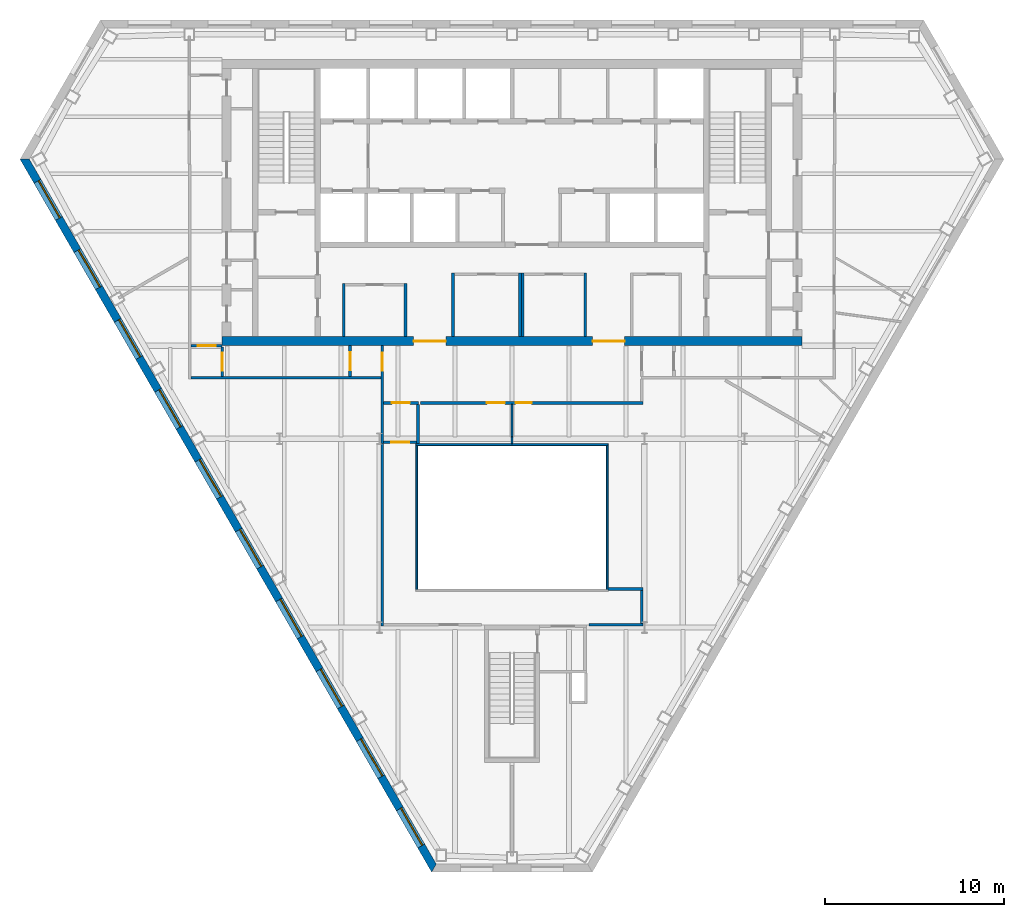
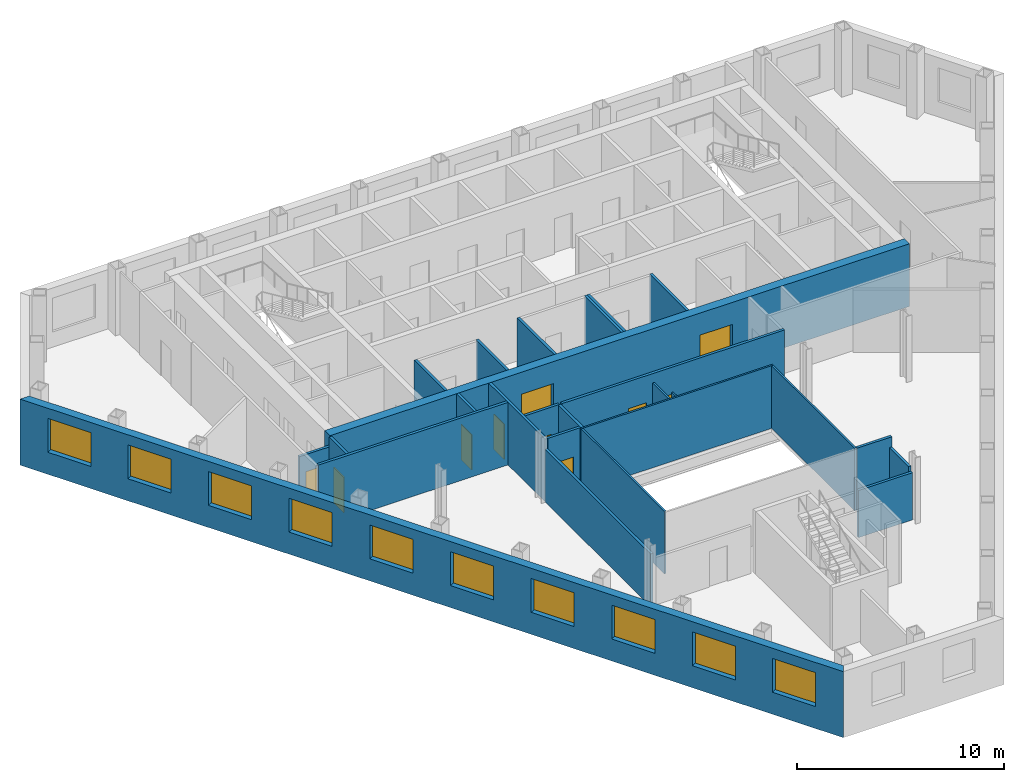
# One storey, part 4 of 11: 26 walls, 10 doors, 10 windows, 20 openings.
"""IFC4 building model written with IfcOpenShell, lengths in metres."""

from ifc_helpers import new_model, si_unit, direction, frame, frame_2d, origin, place, context, subcontext, project, spatial, polyline, rectangle, outline, extrude, material, layer, layer_set, type_object, element, fill, save


model = new_model("IFC4")

# Units and contexts
model_context = context("Model", 3, precision=1e-05, world=origin(), true_north=direction((0.0, 1.0)))
body_context = subcontext(model_context, "Body", "Model", "MODEL_VIEW")
ifc_project = project(units=[si_unit("LENGTHUNIT", "METRE"), si_unit("AREAUNIT", "SQUARE_METRE"), si_unit("VOLUMEUNIT", "CUBIC_METRE"), si_unit("PLANEANGLEUNIT", "RADIAN"), si_unit("MASSUNIT", "GRAM", prefix="KILO")], contexts=[model_context])

# Site, building, storey
site_placement = place(None, origin())
site = spatial("IfcSite", under=ifc_project, at=site_placement, CompositionType="ELEMENT")
building_placement = place(site_placement, origin())
building = spatial("IfcBuilding", under=site, at=building_placement, Name="Njiva Tower", CompositionType="ELEMENT")
storey_placement = place(building_placement, frame((0.0, 0.0, 143.7)))
storey = spatial("IfcBuildingStorey", under=building, at=storey_placement, Name="L30", CompositionType="ELEMENT", Elevation=143.7)

# Walls
ifc_material_1 = material(Name="Blockwork", Category="masonry")
ifc_layer_1 = layer(ifc_material_1, 0.15)
ifc_layer_set_1 = layer_set([ifc_layer_1], Name="Blockwork")
wall_type_1 = type_object("IfcWallType", Name="WT1 Compartment partition 150", PredefinedType="PARTITIONING", material=ifc_layer_set_1)
for number, where, z_axis, x_axis, name in (
    (1, (-9.4, 2.5, 0.0), (0.0, 0.0, 1.0), (0.0, 1.0, 0.0), "Security office wall west"),
    (2, (-5.95, 2.5, 0.0), (0.0, 0.0, 1.0), (0.0, 1.0, 0.0), "Security office wall east"),
):
    element("IfcWall", number, at=place(storey_placement, frame(where, z_axis=z_axis, x_axis=x_axis)), inside=storey, type_object=wall_type_1, Name=name, PredefinedType="PARTITIONING", context=body_context, shape_type="SweptSolid", body=[
        extrude(rectangle(XDim=2.975, YDim=0.15, at=frame_2d((1.4875, 0.0))), origin(), (0.0, 0.0, 1.0), 3.7),
    ])
for number, where, z_axis, x_axis, name in (
    (3, (-3.3, 2.5, 0.0), (0.0, 0.0, 1.0), (0.0, 1.0, 0.0), "Concierge office wall west"),
    (4, (0.45, 2.5, 0.0), (0.0, 0.0, 1.0), (0.0, 1.0, 0.0), "Concierge office wall east"),
    (5, (0.6, 2.5, 0.0), (0.0, 0.0, 1.0), (0.0, 1.0, 0.0), "Post room wall west"),
    (6, (4.1, 2.5, 0.0), (0.0, 0.0, 1.0), (0.0, 1.0, 0.0), "Post room wall east"),
):
    element("IfcWall", number, at=place(storey_placement, frame(where, z_axis=z_axis, x_axis=x_axis)), inside=storey, type_object=wall_type_1, Name=name, PredefinedType="PARTITIONING", context=body_context, shape_type="SweptSolid", body=[
        extrude(rectangle(XDim=3.575, YDim=0.15, at=frame_2d((1.7875, 0.0))), origin(), (0.0, 0.0, 1.0), 3.7),
    ])

# Wall, openings, doors
ifc_material_2 = material(Name="Concrete C60/75", Category="concrete")
ifc_layer_2 = layer(ifc_material_2, 0.5)
ifc_layer_set_2 = layer_set([ifc_layer_2], Name="Concrete C60/75")
wall_type_2 = type_object("IfcWallType", Name="WT13 Core wall 500", PredefinedType="SHEAR", material=ifc_layer_set_2)
wall_1_placement = place(storey_placement, frame((-16.2, 2.25, 0.0), z_axis=(0.0, 0.0, 1.0), x_axis=(1.0, 0.0, 0.0)))
wall_1 = element("IfcWall", 7, at=wall_1_placement, inside=storey, type_object=wall_type_2, Name="Core wall south", PredefinedType="SHEAR", context=body_context, shape_type="SweptSolid", body=[
    extrude(rectangle(XDim=32.4, YDim=0.5, at=frame_2d((16.2, 0.0))), origin(), (0.0, 0.0, 1.0), 3.7),
])
opening_1_placement = place(wall_1_placement, frame((10.7, 0.0, 0.0)))
opening_1 = element("IfcOpeningElement", 8, at=opening_1_placement, cuts=wall_1, Name="Opening S10-D939", PredefinedType="OPENING", context=body_context, shape_type="SweptSolid", body=[
    extrude(rectangle(XDim=1.8, YDim=2.4, at=frame_2d((0.9, 1.2))), frame((0.0, 0.26, 0.0), z_axis=(0.0, -1.0, 0.0), x_axis=(1.0, 0.0, 0.0)), (0.0, 0.0, 1.0), 0.52),
])
opening_2_placement = place(wall_1_placement, frame((20.7, 0.0, 0.0)))
opening_2 = element("IfcOpeningElement", 9, at=opening_2_placement, cuts=wall_1, Name="Opening S10-D940", PredefinedType="OPENING", context=body_context, shape_type="SweptSolid", body=[
    extrude(rectangle(XDim=1.8, YDim=2.4, at=frame_2d((0.9, 1.2))), frame((0.0, 0.26, 0.0), z_axis=(0.0, -1.0, 0.0), x_axis=(1.0, 0.0, 0.0)), (0.0, 0.0, 1.0), 0.52),
])
ifc_material_3 = material(Name="Steel and glass door", Category="steel")
door_type_1 = type_object("IfcDoorType", Name="D3 Core entrance door 1800x2400", OperationType="DOUBLE_DOOR_SINGLE_SWING", PredefinedType="DOOR", material=ifc_material_3)
door_1_placement = place(opening_1_placement, origin())
door_1 = element("IfcDoor", 10, at=door_1_placement, inside=storey, type_object=door_type_1, Name="Core entrance door", OperationType="DOUBLE_DOOR_SINGLE_SWING", OverallHeight=2.4, OverallWidth=1.8, PredefinedType="DOOR", context=body_context, shape_type="SweptSolid", body=[
    extrude(rectangle(XDim=1.8, YDim=2.4, at=frame_2d((0.9, 1.2))), frame((0.0, 0.025, 0.0), z_axis=(0.0, -1.0, 0.0), x_axis=(1.0, 0.0, 0.0)), (0.0, 0.0, 1.0), 0.05),
])
fill(opening_1, door_1)
door_2_placement = place(opening_2_placement, origin())
door_2 = element("IfcDoor", 11, at=door_2_placement, inside=storey, type_object=door_type_1, Name="Core entrance door", OperationType="DOUBLE_DOOR_SINGLE_SWING", OverallHeight=2.4, OverallWidth=1.8, PredefinedType="DOOR", context=body_context, shape_type="SweptSolid", body=[
    extrude(rectangle(XDim=1.8, YDim=2.4, at=frame_2d((0.9, 1.2))), frame((0.0, 0.025, 0.0), z_axis=(0.0, -1.0, 0.0), x_axis=(1.0, 0.0, 0.0)), (0.0, 0.0, 1.0), 0.05),
])
fill(opening_2, door_2)

# Walls
ifc_material_4 = material(Name="Gypsum board on steel studs", Category="gypsum")
ifc_layer_3 = layer(ifc_material_4, 0.1)
ifc_layer_set_3 = layer_set([ifc_layer_3], Name="Gypsum board on steel studs")
wall_type_3 = type_object("IfcWallType", Name="WT20 Gypsum partition 100", PredefinedType="PARTITIONING", material=ifc_layer_set_3)
wall_2_placement = place(storey_placement, frame((0.0, -3.48, 0.0), z_axis=(0.0, 0.0, 1.0), x_axis=(0.0, 1.0, 0.0)))
element("IfcWall", 12, at=wall_2_placement, inside=storey, type_object=wall_type_3, Name="Partition S10-P017", PredefinedType="PARTITIONING", context=body_context, shape_type="SweptSolid", body=[
    extrude(rectangle(XDim=0.381, YDim=0.1, at=frame_2d((0.1905, 0.0))), origin(), (0.0, 0.0, 1.0), 3.7),
])
wall_3_placement = place(storey_placement, frame((0.0, -3.099, 0.0), z_axis=(0.0, 0.0, 1.0), x_axis=(0.0, 1.0, 0.0)))
element("IfcWall", 13, at=wall_3_placement, inside=storey, type_object=wall_type_3, Name="Partition S10-P017A", PredefinedType="PARTITIONING", context=body_context, shape_type="SweptSolid", body=[
    extrude(rectangle(XDim=1.824, YDim=0.1, at=frame_2d((0.912, 0.0))), origin(), (0.0, 0.0, 1.0), 3.15),
])
ifc_layer_4 = layer(ifc_material_4, 0.15)
ifc_layer_set_4 = layer_set([ifc_layer_4], Name="Gypsum board on steel studs")
wall_type_4 = type_object("IfcWallType", Name="WT21 Compartment wall 150", PredefinedType="PARTITIONING", material=ifc_layer_set_4)
wall_4_placement = place(storey_placement, frame((-17.925, 0.2, 0.0), z_axis=(0.0, 0.0, 1.0), x_axis=(1.0, 0.0, 0.0)))
element("IfcWall", 14, at=wall_4_placement, inside=storey, type_object=wall_type_4, Name="Partition S10-P006", PredefinedType="PARTITIONING", context=body_context, shape_type="SweptSolid", body=[
    extrude(rectangle(XDim=10.6, YDim=0.15, at=frame_2d((5.3, 0.0))), origin(), (0.0, 0.0, 1.0), 3.7),
])

# Wall, opening, door
wall_5_placement = place(storey_placement, frame((-17.925, 2.0, 0.0), z_axis=(0.0, 0.0, 1.0), x_axis=(1.0, 0.0, 0.0)))
wall_5 = element("IfcWall", 15, at=wall_5_placement, inside=storey, type_object=wall_type_4, Name="Partition S10-P007", PredefinedType="PARTITIONING", context=body_context, shape_type="SweptSolid", body=[
    extrude(rectangle(XDim=1.725, YDim=0.15, at=frame_2d((0.8625, 0.0))), origin(), (0.0, 0.0, 1.0), 3.11),
])
opening_3_placement = place(wall_5_placement, frame((0.363, 0.0, 0.0)))
opening_3 = element("IfcOpeningElement", 16, at=opening_3_placement, cuts=wall_5, Name="Opening S10-D003", PredefinedType="OPENING", context=body_context, shape_type="SweptSolid", body=[
    extrude(rectangle(XDim=1.0, YDim=2.1, at=frame_2d((0.5, 1.05))), frame((0.0, 0.085, 0.0), z_axis=(0.0, -1.0, 0.0), x_axis=(1.0, 0.0, 0.0)), (0.0, 0.0, 1.0), 0.17),
])
ifc_material_5 = material(Name="Steel fire door set", Category="steel")
door_type_2 = type_object("IfcDoorType", Name="D37 Fire door 1000x2100", OperationType="SINGLE_SWING_LEFT", PredefinedType="DOOR", material=ifc_material_5)
door_3_placement = place(opening_3_placement, origin())
door_3 = element("IfcDoor", 17, at=door_3_placement, inside=storey, type_object=door_type_2, Name="Door S10-D003", OperationType="SINGLE_SWING_LEFT", OverallHeight=2.1, OverallWidth=1.0, PredefinedType="DOOR", context=body_context, shape_type="SweptSolid", body=[
    extrude(rectangle(XDim=1.0, YDim=2.1, at=frame_2d((0.5, 1.05))), frame((0.0, 0.025, 0.0), z_axis=(0.0, -1.0, 0.0), x_axis=(1.0, 0.0, 0.0)), (0.0, 0.0, 1.0), 0.05),
])
fill(opening_3, door_3)

wall_6_placement = place(storey_placement, frame((-16.2, 0.275, 0.0), z_axis=(0.0, 0.0, 1.0), x_axis=(0.0, 1.0, 0.0)))
wall_6 = element("IfcWall", 18, at=wall_6_placement, inside=storey, type_object=wall_type_4, Name="Partition S10-P008", PredefinedType="PARTITIONING", context=body_context, shape_type="SweptSolid", body=[
    extrude(rectangle(XDim=1.65, YDim=0.15, at=frame_2d((0.825, 0.0))), origin(), (0.0, 0.0, 1.0), 3.7),
])
opening_4_placement = place(wall_6_placement, frame((0.325, 0.0, 0.0)))
opening_4 = element("IfcOpeningElement", 19, at=opening_4_placement, cuts=wall_6, Name="Opening S10-D004", PredefinedType="OPENING", context=body_context, shape_type="SweptSolid", body=[
    extrude(rectangle(XDim=1.0, YDim=2.1, at=frame_2d((0.5, 1.05))), frame((0.0, 0.085, 0.0), z_axis=(0.0, -1.0, 0.0), x_axis=(1.0, 0.0, 0.0)), (0.0, 0.0, 1.0), 0.17),
])
door_4_placement = place(opening_4_placement, origin())
door_4 = element("IfcDoor", 20, at=door_4_placement, inside=storey, type_object=door_type_2, Name="Door S10-D004", OperationType="SINGLE_SWING_RIGHT", OverallHeight=2.1, OverallWidth=1.0, PredefinedType="DOOR", context=body_context, shape_type="SweptSolid", body=[
    extrude(rectangle(XDim=1.0, YDim=2.1, at=frame_2d((0.5, 1.05))), frame((0.0, 0.025, 0.0), z_axis=(0.0, -1.0, 0.0), x_axis=(1.0, 0.0, 0.0)), (0.0, 0.0, 1.0), 0.05),
])
fill(opening_4, door_4)

wall_7_placement = place(storey_placement, frame((-9.05, 0.275, 0.0), z_axis=(0.0, 0.0, 1.0), x_axis=(0.0, 1.0, 0.0)))
wall_7 = element("IfcWall", 21, at=wall_7_placement, inside=storey, type_object=wall_type_4, Name="Partition S10-P009", PredefinedType="PARTITIONING", context=body_context, shape_type="SweptSolid", body=[
    extrude(rectangle(XDim=1.725, YDim=0.15, at=frame_2d((0.8625, 0.0))), origin(), (0.0, 0.0, 1.0), 3.7),
])
opening_5_placement = place(wall_7_placement, frame((0.363, 0.0, 0.0)))
opening_5 = element("IfcOpeningElement", 22, at=opening_5_placement, cuts=wall_7, Name="Opening S10-D005", PredefinedType="OPENING", context=body_context, shape_type="SweptSolid", body=[
    extrude(rectangle(XDim=1.0, YDim=2.1, at=frame_2d((0.5, 1.05))), frame((0.0, 0.085, 0.0), z_axis=(0.0, -1.0, 0.0), x_axis=(1.0, 0.0, 0.0)), (0.0, 0.0, 1.0), 0.17),
])
door_5_placement = place(opening_5_placement, origin())
door_5 = element("IfcDoor", 23, at=door_5_placement, inside=storey, type_object=door_type_2, Name="Door S10-D005", OperationType="SINGLE_SWING_LEFT", OverallHeight=2.1, OverallWidth=1.0, PredefinedType="DOOR", context=body_context, shape_type="SweptSolid", body=[
    extrude(rectangle(XDim=1.0, YDim=2.1, at=frame_2d((0.5, 1.05))), frame((0.0, 0.025, 0.0), z_axis=(0.0, -1.0, 0.0), x_axis=(1.0, 0.0, 0.0)), (0.0, 0.0, 1.0), 0.05),
])
fill(opening_5, door_5)

# Wall
wall_8_placement = place(storey_placement, frame((-7.25, -13.675, 0.0), z_axis=(0.0, 0.0, 1.0), x_axis=(0.0, 1.0, 0.0)))
element("IfcWall", 24, at=wall_8_placement, inside=storey, type_object=wall_type_4, Name="Partition S10-P010", PredefinedType="PARTITIONING", context=body_context, shape_type="SweptSolid", body=[
    extrude(rectangle(XDim=10.215, YDim=0.15, at=frame_2d((5.1075, 0.0))), origin(), (0.0, 0.0, 1.0), 3.11),
])

# Wall, opening, door
wall_9_placement = place(storey_placement, frame((-7.25, -3.46, 0.0), z_axis=(0.0, 0.0, 1.0), x_axis=(0.0, 1.0, 0.0)))
wall_9 = element("IfcWall", 25, at=wall_9_placement, inside=storey, type_object=wall_type_4, Name="Partition S10-P010A", PredefinedType="PARTITIONING", context=body_context, shape_type="SweptSolid", body=[
    extrude(rectangle(XDim=5.46, YDim=0.15, at=frame_2d((2.73, 0.0))), origin(), (0.0, 0.0, 1.0), 3.7),
])
opening_6_placement = place(wall_9_placement, frame((4.06, 0.0, 0.0)))
opening_6 = element("IfcOpeningElement", 26, at=opening_6_placement, cuts=wall_9, Name="Opening S10-D006", PredefinedType="OPENING", context=body_context, shape_type="SweptSolid", body=[
    extrude(rectangle(XDim=1.0, YDim=2.1, at=frame_2d((0.5, 1.05))), frame((0.0, 0.085, 0.0), z_axis=(0.0, -1.0, 0.0), x_axis=(1.0, 0.0, 0.0)), (0.0, 0.0, 1.0), 0.17),
])
door_6_placement = place(opening_6_placement, origin())
door_6 = element("IfcDoor", 27, at=door_6_placement, inside=storey, type_object=door_type_2, Name="Door S10-D006", OperationType="SINGLE_SWING_LEFT", OverallHeight=2.1, OverallWidth=1.0, PredefinedType="DOOR", context=body_context, shape_type="SweptSolid", body=[
    extrude(rectangle(XDim=1.0, YDim=2.1, at=frame_2d((0.5, 1.05))), frame((0.0, 0.025, 0.0), z_axis=(0.0, -1.0, 0.0), x_axis=(1.0, 0.0, 0.0)), (0.0, 0.0, 1.0), 0.05),
])
fill(opening_6, door_6)

wall_10_placement = place(storey_placement, frame((-7.175, -3.4, 0.0), z_axis=(0.0, 0.0, 1.0), x_axis=(1.0, 0.0, 0.0)))
wall_10 = element("IfcWall", 28, at=wall_10_placement, inside=storey, type_object=wall_type_4, Name="Partition S10-P012", PredefinedType="PARTITIONING", context=body_context, shape_type="SweptSolid", body=[
    extrude(rectangle(XDim=1.85, YDim=0.15, at=frame_2d((0.925, 0.0))), origin(), (0.0, 0.0, 1.0), 3.7),
])
opening_7_placement = place(wall_10_placement, frame((0.425, 0.0, 0.0)))
opening_7 = element("IfcOpeningElement", 29, at=opening_7_placement, cuts=wall_10, Name="Opening S10-D008", PredefinedType="OPENING", context=body_context, shape_type="SweptSolid", body=[
    extrude(rectangle(XDim=1.0, YDim=2.1, at=frame_2d((0.5, 1.05))), frame((0.0, 0.085, 0.0), z_axis=(0.0, -1.0, 0.0), x_axis=(1.0, 0.0, 0.0)), (0.0, 0.0, 1.0), 0.17),
])
door_7_placement = place(opening_7_placement, origin())
door_7 = element("IfcDoor", 30, at=door_7_placement, inside=storey, type_object=door_type_2, Name="Door S10-D008", OperationType="SINGLE_SWING_LEFT", OverallHeight=2.1, OverallWidth=1.0, PredefinedType="DOOR", context=body_context, shape_type="SweptSolid", body=[
    extrude(rectangle(XDim=1.0, YDim=2.1, at=frame_2d((0.5, 1.05))), frame((0.0, 0.025, 0.0), z_axis=(0.0, -1.0, 0.0), x_axis=(1.0, 0.0, 0.0)), (0.0, 0.0, 1.0), 0.05),
])
fill(opening_7, door_7)

wall_11_placement = place(storey_placement, frame((-7.175, -1.2, 0.0), z_axis=(0.0, 0.0, 1.0), x_axis=(1.0, 0.0, 0.0)))
wall_11 = element("IfcWall", 31, at=wall_11_placement, inside=storey, type_object=wall_type_4, Name="Partition S10-P013", PredefinedType="PARTITIONING", context=body_context, shape_type="SweptSolid", body=[
    extrude(rectangle(XDim=1.937, YDim=0.15, at=frame_2d((0.9685, 0.0))), origin(), (0.0, 0.0, 1.0), 3.7),
])
opening_8_placement = place(wall_11_placement, frame((0.462, 0.0, 0.0)))
opening_8 = element("IfcOpeningElement", 32, at=opening_8_placement, cuts=wall_11, Name="Opening S10-D009", PredefinedType="OPENING", context=body_context, shape_type="SweptSolid", body=[
    extrude(rectangle(XDim=1.0, YDim=2.1, at=frame_2d((0.5, 1.05))), frame((0.0, 0.085, 0.0), z_axis=(0.0, -1.0, 0.0), x_axis=(1.0, 0.0, 0.0)), (0.0, 0.0, 1.0), 0.17),
])
door_8_placement = place(opening_8_placement, origin())
door_8 = element("IfcDoor", 33, at=door_8_placement, inside=storey, type_object=door_type_2, Name="Door S10-D009", OperationType="SINGLE_SWING_RIGHT", OverallHeight=2.1, OverallWidth=1.0, PredefinedType="DOOR", context=body_context, shape_type="SweptSolid", body=[
    extrude(rectangle(XDim=1.0, YDim=2.1, at=frame_2d((0.5, 1.05))), frame((0.0, 0.025, 0.0), z_axis=(0.0, -1.0, 0.0), x_axis=(1.0, 0.0, 0.0)), (0.0, 0.0, 1.0), 0.05),
])
fill(opening_8, door_8)

# Wall
wall_12_placement = place(storey_placement, frame((-5.25, -3.48, 0.0), z_axis=(0.0, 0.0, 1.0), x_axis=(0.0, 1.0, 0.0)))
element("IfcWall", 34, at=wall_12_placement, inside=storey, type_object=wall_type_4, Name="Partition S10-P014", PredefinedType="PARTITIONING", context=body_context, shape_type="SweptSolid", body=[
    extrude(rectangle(XDim=2.195, YDim=0.15, at=frame_2d((1.0975, 0.0))), origin(), (0.0, 0.0, 1.0), 3.7),
])

# Wall, openings, doors
wall_13_placement = place(storey_placement, frame((-5.104, -1.2, 0.0), z_axis=(0.0, 0.0, 1.0), x_axis=(1.0, 0.0, 0.0)))
wall_13 = element("IfcWall", 35, at=wall_13_placement, inside=storey, type_object=wall_type_4, Name="Partition S10-P015", PredefinedType="PARTITIONING", context=body_context, shape_type="SweptSolid", body=[
    extrude(rectangle(XDim=12.429, YDim=0.15, at=frame_2d((6.2145, 0.0))), origin(), (0.0, 0.0, 1.0), 3.7),
])
opening_9_placement = place(wall_13_placement, frame((3.699, 0.0, 0.0)))
opening_9 = element("IfcOpeningElement", 36, at=opening_9_placement, cuts=wall_13, Name="Opening S10-D010", PredefinedType="OPENING", context=body_context, shape_type="SweptSolid", body=[
    extrude(rectangle(XDim=1.0, YDim=2.1, at=frame_2d((0.5, 1.05))), frame((0.0, 0.085, 0.0), z_axis=(0.0, -1.0, 0.0), x_axis=(1.0, 0.0, 0.0)), (0.0, 0.0, 1.0), 0.17),
])
opening_10_placement = place(wall_13_placement, frame((5.306, 0.0, 0.0)))
opening_10 = element("IfcOpeningElement", 37, at=opening_10_placement, cuts=wall_13, Name="Opening S10-D011", PredefinedType="OPENING", context=body_context, shape_type="SweptSolid", body=[
    extrude(rectangle(XDim=0.9, YDim=2.1, at=frame_2d((0.45, 1.05))), frame((0.0, 0.085, 0.0), z_axis=(0.0, -1.0, 0.0), x_axis=(1.0, 0.0, 0.0)), (0.0, 0.0, 1.0), 0.17),
])
door_type_3 = type_object("IfcDoorType", Name="D36 Fire door 900x2100", OperationType="SINGLE_SWING_LEFT", PredefinedType="DOOR", material=ifc_material_5)
door_9_placement = place(opening_10_placement, origin())
door_9 = element("IfcDoor", 38, at=door_9_placement, inside=storey, type_object=door_type_3, Name="Door S10-D011", OperationType="SINGLE_SWING_LEFT", OverallHeight=2.1, OverallWidth=0.9, PredefinedType="DOOR", context=body_context, shape_type="SweptSolid", body=[
    extrude(rectangle(XDim=0.9, YDim=2.1, at=frame_2d((0.45, 1.05))), frame((0.0, 0.025, 0.0), z_axis=(0.0, -1.0, 0.0), x_axis=(1.0, 0.0, 0.0)), (0.0, 0.0, 1.0), 0.05),
])
fill(opening_10, door_9)
door_10_placement = place(opening_9_placement, origin())
door_10 = element("IfcDoor", 39, at=door_10_placement, inside=storey, type_object=door_type_2, Name="Door S10-D010", OperationType="SINGLE_SWING_LEFT", OverallHeight=2.1, OverallWidth=1.0, PredefinedType="DOOR", context=body_context, shape_type="SweptSolid", body=[
    extrude(rectangle(XDim=1.0, YDim=2.1, at=frame_2d((0.5, 1.05))), frame((0.0, 0.025, 0.0), z_axis=(0.0, -1.0, 0.0), x_axis=(1.0, 0.0, 0.0)), (0.0, 0.0, 1.0), 0.05),
])
fill(opening_9, door_10)

# Walls
wall_14_placement = place(storey_placement, frame((4.3, -13.6, 0.0), z_axis=(0.0, 0.0, 1.0), x_axis=(1.0, 0.0, 0.0)))
element("IfcWall", 40, at=wall_14_placement, inside=storey, type_object=wall_type_4, Name="Partition S10-P018", PredefinedType="PARTITIONING", context=body_context, shape_type="SweptSolid", body=[
    extrude(rectangle(XDim=3.025, YDim=0.15, at=frame_2d((1.5125, 0.0))), origin(), (0.0, 0.0, 1.0), 2.79),
])
wall_15_placement = place(storey_placement, frame((5.37, -11.6, 0.0), z_axis=(0.0, 0.0, 1.0), x_axis=(1.0, 0.0, 0.0)))
element("IfcWall", 41, at=wall_15_placement, inside=storey, type_object=wall_type_4, Name="Partition S10-P019", PredefinedType="PARTITIONING", context=body_context, shape_type="SweptSolid", body=[
    extrude(rectangle(XDim=1.955, YDim=0.15, at=frame_2d((0.9775, 0.0))), origin(), (0.0, 0.0, 1.0), 3.7),
])
wall_16_placement = place(storey_placement, frame((7.25, -13.525, 0.0), z_axis=(0.0, 0.0, 1.0), x_axis=(0.0, 1.0, 0.0)))
element("IfcWall", 42, at=wall_16_placement, inside=storey, type_object=wall_type_4, Name="Partition S10-P020", PredefinedType="PARTITIONING", context=body_context, shape_type="SweptSolid", body=[
    extrude(rectangle(XDim=1.85, YDim=0.15, at=frame_2d((0.925, 0.0))), origin(), (0.0, 0.0, 1.0), 3.11),
])

# Wall, openings, windows
ifc_material_6 = material(Name="Brick masonry", Category="masonry")
ifc_layer_5 = layer(ifc_material_6, 0.45)
ifc_layer_set_5 = layer_set([ifc_layer_5], Name="Brick masonry")
wall_type_5 = type_object("IfcWallType", Name="WT90 Brick pier and spandrel wall 450", PredefinedType="SOLIDWALL", material=ifc_layer_set_5)
wall_17_placement = place(storey_placement, frame((-27.2352, 12.4231, -0.4), z_axis=(0.0, 0.0, 1.0), x_axis=(0.500000335318, -0.866025210188, 0.0)))
wall_17 = element("IfcWall", 43, at=wall_17_placement, inside=storey, type_object=wall_type_5, Name="Facade wall SW", PredefinedType="SOLIDWALL", context=body_context, shape_type="SweptSolid", body=[
    extrude(outline(polyline([(-0.1299, -0.225), (45.8801, -0.225), (45.6203, 0.225), (0.1299, 0.225), (-0.1299, -0.225)])), origin(), (0.0, 0.0, 1.0), 3.9),
])
opening_11_placement = place(wall_17_placement, frame((1.4247, 0.0, 1.3)))
opening_11 = element("IfcOpeningElement", 44, at=opening_11_placement, cuts=wall_17, Name="Opening S10-W12", PredefinedType="OPENING", context=body_context, shape_type="SweptSolid", body=[
    extrude(rectangle(XDim=2.4, YDim=2.0, at=frame_2d((1.2, 1.0))), frame((0.0, 0.235, 0.0), z_axis=(0.0, -1.0, 0.0), x_axis=(1.0, 0.0, 0.0)), (0.0, 0.0, 1.0), 0.47),
])
opening_12_placement = place(wall_17_placement, frame((5.8949, 0.0, 1.3)))
opening_12 = element("IfcOpeningElement", 45, at=opening_12_placement, cuts=wall_17, Name="Opening S10-W13", PredefinedType="OPENING", context=body_context, shape_type="SweptSolid", body=[
    extrude(rectangle(XDim=2.4, YDim=2.0, at=frame_2d((1.2, 1.0))), frame((0.0, 0.235, 0.0), z_axis=(0.0, -1.0, 0.0), x_axis=(1.0, 0.0, 0.0)), (0.0, 0.0, 1.0), 0.47),
])
opening_13_placement = place(wall_17_placement, frame((10.4035, 0.0, 1.3)))
opening_13 = element("IfcOpeningElement", 46, at=opening_13_placement, cuts=wall_17, Name="Opening S10-W14", PredefinedType="OPENING", context=body_context, shape_type="SweptSolid", body=[
    extrude(rectangle(XDim=2.4, YDim=2.0, at=frame_2d((1.2, 1.0))), frame((0.0, 0.235, 0.0), z_axis=(0.0, -1.0, 0.0), x_axis=(1.0, 0.0, 0.0)), (0.0, 0.0, 1.0), 0.47),
])
opening_14_placement = place(wall_17_placement, frame((14.9122, 0.0, 1.3)))
opening_14 = element("IfcOpeningElement", 47, at=opening_14_placement, cuts=wall_17, Name="Opening S10-W15", PredefinedType="OPENING", context=body_context, shape_type="SweptSolid", body=[
    extrude(rectangle(XDim=2.4, YDim=2.0, at=frame_2d((1.2, 1.0))), frame((0.0, 0.235, 0.0), z_axis=(0.0, -1.0, 0.0), x_axis=(1.0, 0.0, 0.0)), (0.0, 0.0, 1.0), 0.47),
])
opening_15_placement = place(wall_17_placement, frame((19.4208, 0.0, 1.3)))
opening_15 = element("IfcOpeningElement", 48, at=opening_15_placement, cuts=wall_17, Name="Opening S10-W16", PredefinedType="OPENING", context=body_context, shape_type="SweptSolid", body=[
    extrude(rectangle(XDim=2.4, YDim=2.0, at=frame_2d((1.2, 1.0))), frame((0.0, 0.235, 0.0), z_axis=(0.0, -1.0, 0.0), x_axis=(1.0, 0.0, 0.0)), (0.0, 0.0, 1.0), 0.47),
])
opening_16_placement = place(wall_17_placement, frame((23.9294, 0.0, 1.3)))
opening_16 = element("IfcOpeningElement", 49, at=opening_16_placement, cuts=wall_17, Name="Opening S10-W17", PredefinedType="OPENING", context=body_context, shape_type="SweptSolid", body=[
    extrude(rectangle(XDim=2.4, YDim=2.0, at=frame_2d((1.2, 1.0))), frame((0.0, 0.235, 0.0), z_axis=(0.0, -1.0, 0.0), x_axis=(1.0, 0.0, 0.0)), (0.0, 0.0, 1.0), 0.47),
])
opening_17_placement = place(wall_17_placement, frame((28.438, 0.0, 1.3)))
opening_17 = element("IfcOpeningElement", 50, at=opening_17_placement, cuts=wall_17, Name="Opening S10-W18", PredefinedType="OPENING", context=body_context, shape_type="SweptSolid", body=[
    extrude(rectangle(XDim=2.4, YDim=2.0, at=frame_2d((1.2, 1.0))), frame((0.0, 0.235, 0.0), z_axis=(0.0, -1.0, 0.0), x_axis=(1.0, 0.0, 0.0)), (0.0, 0.0, 1.0), 0.47),
])
opening_18_placement = place(wall_17_placement, frame((32.9466, 0.0, 1.3)))
opening_18 = element("IfcOpeningElement", 51, at=opening_18_placement, cuts=wall_17, Name="Opening S10-W19", PredefinedType="OPENING", context=body_context, shape_type="SweptSolid", body=[
    extrude(rectangle(XDim=2.4, YDim=2.0, at=frame_2d((1.2, 1.0))), frame((0.0, 0.235, 0.0), z_axis=(0.0, -1.0, 0.0), x_axis=(1.0, 0.0, 0.0)), (0.0, 0.0, 1.0), 0.47),
])
opening_19_placement = place(wall_17_placement, frame((37.4553, 0.0, 1.3)))
opening_19 = element("IfcOpeningElement", 52, at=opening_19_placement, cuts=wall_17, Name="Opening S10-W20", PredefinedType="OPENING", context=body_context, shape_type="SweptSolid", body=[
    extrude(rectangle(XDim=2.4, YDim=2.0, at=frame_2d((1.2, 1.0))), frame((0.0, 0.235, 0.0), z_axis=(0.0, -1.0, 0.0), x_axis=(1.0, 0.0, 0.0)), (0.0, 0.0, 1.0), 0.47),
])
opening_20_placement = place(wall_17_placement, frame((41.9255, 0.0, 1.3)))
opening_20 = element("IfcOpeningElement", 53, at=opening_20_placement, cuts=wall_17, Name="Opening S10-W21", PredefinedType="OPENING", context=body_context, shape_type="SweptSolid", body=[
    extrude(rectangle(XDim=2.4, YDim=2.0, at=frame_2d((1.2, 1.0))), frame((0.0, 0.235, 0.0), z_axis=(0.0, -1.0, 0.0), x_axis=(1.0, 0.0, 0.0)), (0.0, 0.0, 1.0), 0.47),
])
ifc_material_7 = material(Name="Clear glazing in aluminium frame", Category="aluminium")
window_type = type_object("IfcWindowType", Name="W90 Deep-set window 2400x2000", PartitioningType="SINGLE_PANEL", PredefinedType="WINDOW", material=ifc_material_7)
window_1_placement = place(opening_11_placement, origin())
window_1 = element("IfcWindow", 54, at=window_1_placement, inside=storey, type_object=window_type, Name="Window", OverallHeight=2.0, OverallWidth=2.4, PartitioningType="SINGLE_PANEL", PredefinedType="WINDOW", context=body_context, shape_type="SweptSolid", body=[
    extrude(rectangle(XDim=2.4, YDim=2.0, at=frame_2d((1.2, 1.0))), frame((0.0, 0.105, 0.0), z_axis=(0.0, -1.0, 0.0), x_axis=(1.0, 0.0, 0.0)), (0.0, 0.0, 1.0), 0.06),
])
fill(opening_11, window_1)
window_2_placement = place(opening_12_placement, origin())
window_2 = element("IfcWindow", 55, at=window_2_placement, inside=storey, type_object=window_type, Name="Window", OverallHeight=2.0, OverallWidth=2.4, PartitioningType="SINGLE_PANEL", PredefinedType="WINDOW", context=body_context, shape_type="SweptSolid", body=[
    extrude(rectangle(XDim=2.4, YDim=2.0, at=frame_2d((1.2, 1.0))), frame((0.0, 0.105, 0.0), z_axis=(0.0, -1.0, 0.0), x_axis=(1.0, 0.0, 0.0)), (0.0, 0.0, 1.0), 0.06),
])
fill(opening_12, window_2)
window_3_placement = place(opening_13_placement, origin())
window_3 = element("IfcWindow", 56, at=window_3_placement, inside=storey, type_object=window_type, Name="Window", OverallHeight=2.0, OverallWidth=2.4, PartitioningType="SINGLE_PANEL", PredefinedType="WINDOW", context=body_context, shape_type="SweptSolid", body=[
    extrude(rectangle(XDim=2.4, YDim=2.0, at=frame_2d((1.2, 1.0))), frame((0.0, 0.105, 0.0), z_axis=(0.0, -1.0, 0.0), x_axis=(1.0, 0.0, 0.0)), (0.0, 0.0, 1.0), 0.06),
])
fill(opening_13, window_3)
window_4_placement = place(opening_14_placement, origin())
window_4 = element("IfcWindow", 57, at=window_4_placement, inside=storey, type_object=window_type, Name="Window", OverallHeight=2.0, OverallWidth=2.4, PartitioningType="SINGLE_PANEL", PredefinedType="WINDOW", context=body_context, shape_type="SweptSolid", body=[
    extrude(rectangle(XDim=2.4, YDim=2.0, at=frame_2d((1.2, 1.0))), frame((0.0, 0.105, 0.0), z_axis=(0.0, -1.0, 0.0), x_axis=(1.0, 0.0, 0.0)), (0.0, 0.0, 1.0), 0.06),
])
fill(opening_14, window_4)
window_5_placement = place(opening_15_placement, origin())
window_5 = element("IfcWindow", 58, at=window_5_placement, inside=storey, type_object=window_type, Name="Window", OverallHeight=2.0, OverallWidth=2.4, PartitioningType="SINGLE_PANEL", PredefinedType="WINDOW", context=body_context, shape_type="SweptSolid", body=[
    extrude(rectangle(XDim=2.4, YDim=2.0, at=frame_2d((1.2, 1.0))), frame((0.0, 0.105, 0.0), z_axis=(0.0, -1.0, 0.0), x_axis=(1.0, 0.0, 0.0)), (0.0, 0.0, 1.0), 0.06),
])
fill(opening_15, window_5)
window_6_placement = place(opening_16_placement, origin())
window_6 = element("IfcWindow", 59, at=window_6_placement, inside=storey, type_object=window_type, Name="Window", OverallHeight=2.0, OverallWidth=2.4, PartitioningType="SINGLE_PANEL", PredefinedType="WINDOW", context=body_context, shape_type="SweptSolid", body=[
    extrude(rectangle(XDim=2.4, YDim=2.0, at=frame_2d((1.2, 1.0))), frame((0.0, 0.105, 0.0), z_axis=(0.0, -1.0, 0.0), x_axis=(1.0, 0.0, 0.0)), (0.0, 0.0, 1.0), 0.06),
])
fill(opening_16, window_6)
window_7_placement = place(opening_17_placement, origin())
window_7 = element("IfcWindow", 60, at=window_7_placement, inside=storey, type_object=window_type, Name="Window", OverallHeight=2.0, OverallWidth=2.4, PartitioningType="SINGLE_PANEL", PredefinedType="WINDOW", context=body_context, shape_type="SweptSolid", body=[
    extrude(rectangle(XDim=2.4, YDim=2.0, at=frame_2d((1.2, 1.0))), frame((0.0, 0.105, 0.0), z_axis=(0.0, -1.0, 0.0), x_axis=(1.0, 0.0, 0.0)), (0.0, 0.0, 1.0), 0.06),
])
fill(opening_17, window_7)
window_8_placement = place(opening_18_placement, origin())
window_8 = element("IfcWindow", 61, at=window_8_placement, inside=storey, type_object=window_type, Name="Window", OverallHeight=2.0, OverallWidth=2.4, PartitioningType="SINGLE_PANEL", PredefinedType="WINDOW", context=body_context, shape_type="SweptSolid", body=[
    extrude(rectangle(XDim=2.4, YDim=2.0, at=frame_2d((1.2, 1.0))), frame((0.0, 0.105, 0.0), z_axis=(0.0, -1.0, 0.0), x_axis=(1.0, 0.0, 0.0)), (0.0, 0.0, 1.0), 0.06),
])
fill(opening_18, window_8)
window_9_placement = place(opening_19_placement, origin())
window_9 = element("IfcWindow", 62, at=window_9_placement, inside=storey, type_object=window_type, Name="Window", OverallHeight=2.0, OverallWidth=2.4, PartitioningType="SINGLE_PANEL", PredefinedType="WINDOW", context=body_context, shape_type="SweptSolid", body=[
    extrude(rectangle(XDim=2.4, YDim=2.0, at=frame_2d((1.2, 1.0))), frame((0.0, 0.105, 0.0), z_axis=(0.0, -1.0, 0.0), x_axis=(1.0, 0.0, 0.0)), (0.0, 0.0, 1.0), 0.06),
])
fill(opening_19, window_9)
window_10_placement = place(opening_20_placement, origin())
window_10 = element("IfcWindow", 63, at=window_10_placement, inside=storey, type_object=window_type, Name="Window", OverallHeight=2.0, OverallWidth=2.4, PartitioningType="SINGLE_PANEL", PredefinedType="WINDOW", context=body_context, shape_type="SweptSolid", body=[
    extrude(rectangle(XDim=2.4, YDim=2.0, at=frame_2d((1.2, 1.0))), frame((0.0, 0.105, 0.0), z_axis=(0.0, -1.0, 0.0), x_axis=(1.0, 0.0, 0.0)), (0.0, 0.0, 1.0), 0.06),
])
fill(opening_20, window_10)

# Walls
ifc_material_8 = material(Name="Fire-resisting glazing EI 90", Category="glass")
ifc_layer_6 = layer(ifc_material_8, 0.1)
ifc_layer_set_6 = layer_set([ifc_layer_6], Name="Fire-resisting glazing EI 90")
wall_type_6 = type_object("IfcWallType", Name="WT95 Fire-resisting glazed screen EI 90", PredefinedType="PARTITIONING", material=ifc_layer_set_6)
wall_18_placement = place(storey_placement, frame((5.32, -11.62, 0.0), z_axis=(0.0, 0.0, 1.0), x_axis=(0.0, 1.0, 0.0)))
element("IfcWall", 64, at=wall_18_placement, inside=storey, type_object=wall_type_6, Name="Atrium fire screen east", PredefinedType="PARTITIONING", context=body_context, shape_type="SweptSolid", body=[
    extrude(rectangle(XDim=8.04, YDim=0.1, at=frame_2d((4.02, 0.0))), origin(), (0.0, 0.0, 1.0), 3.7),
])
wall_19_placement = place(storey_placement, frame((5.37, -3.53, 0.0), z_axis=(0.0, 0.0, 1.0), x_axis=(-1.0, 0.0, 0.0)))
element("IfcWall", 65, at=wall_19_placement, inside=storey, type_object=wall_type_6, Name="Atrium fire screen north", PredefinedType="PARTITIONING", context=body_context, shape_type="SweptSolid", body=[
    extrude(rectangle(XDim=10.74, YDim=0.1, at=frame_2d((5.37, 0.0))), origin(), (0.0, 0.0, 1.0), 3.7),
])
wall_20_placement = place(storey_placement, frame((-5.32, -3.58, 0.0), z_axis=(0.0, 0.0, 1.0), x_axis=(0.0, -1.0, 0.0)))
element("IfcWall", 66, at=wall_20_placement, inside=storey, type_object=wall_type_6, Name="Atrium fire screen west", PredefinedType="PARTITIONING", context=body_context, shape_type="SweptSolid", body=[
    extrude(rectangle(XDim=8.04, YDim=0.1, at=frame_2d((4.02, 0.0))), origin(), (0.0, 0.0, 1.0), 3.7),
])

save(model, "model.ifc")
